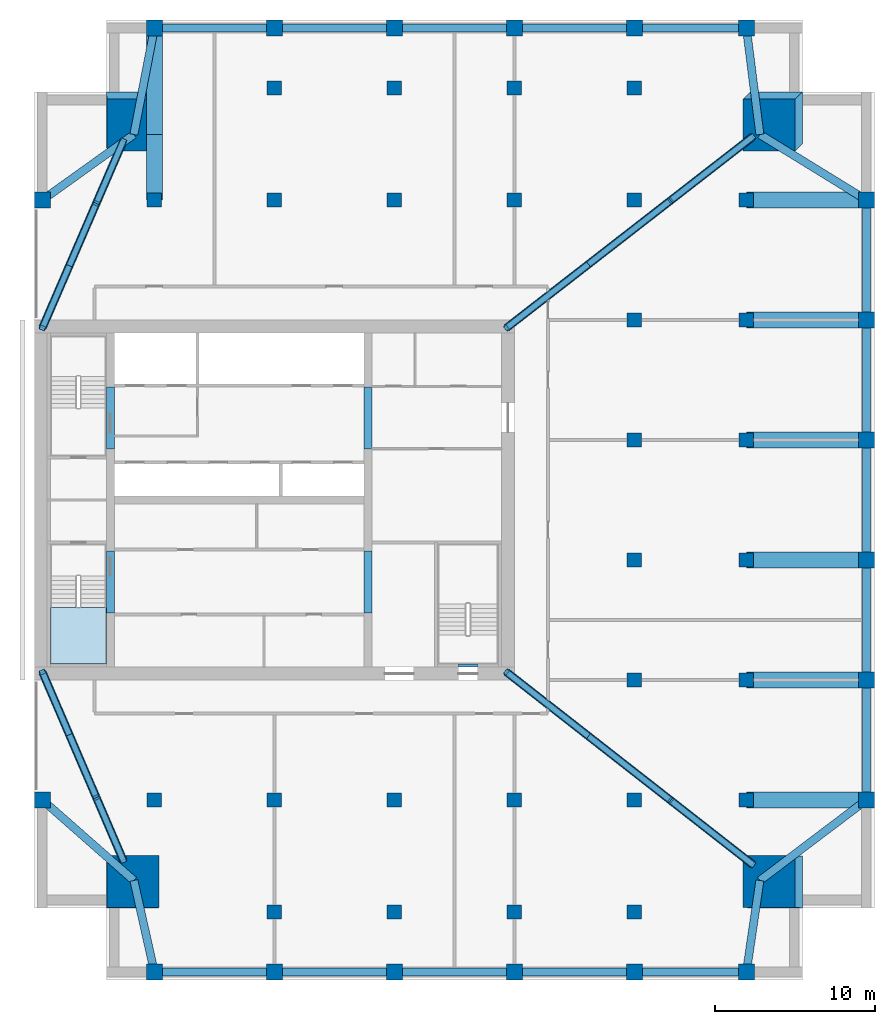
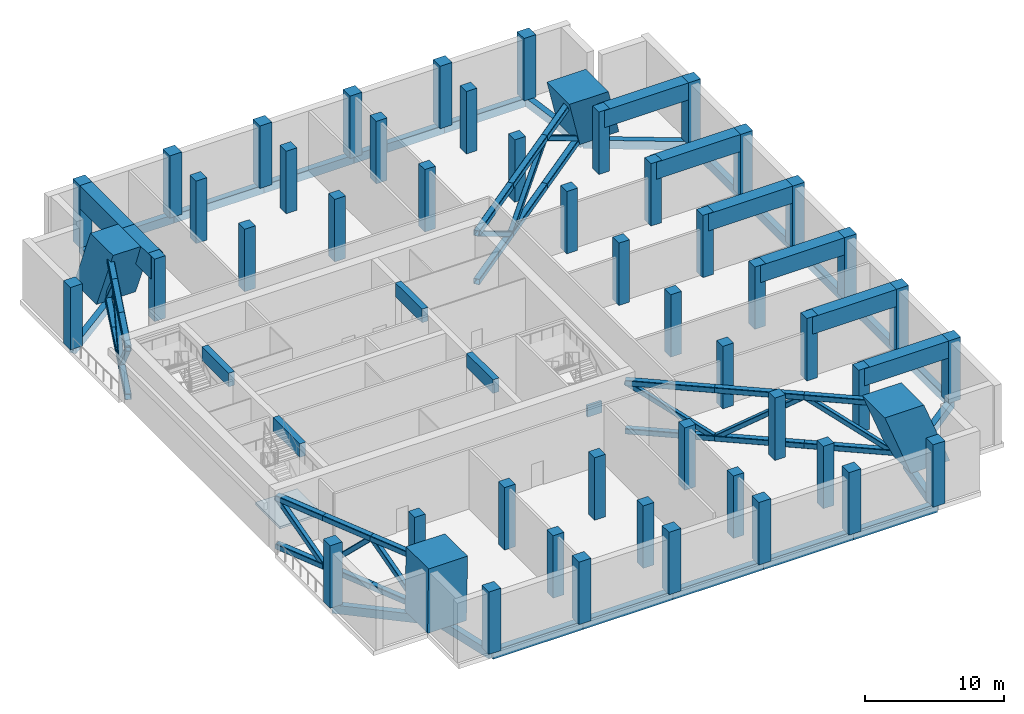
# One storey, part 1 of 9: 52 columns, 36 beams, 36 members, 1 slab, 1 element without a shape of its own.
"""IFC4 building model written with IfcOpenShell, lengths in metres."""

from ifc_helpers import new_model, si_unit, direction, frame, origin, origin_2d, place, context, subcontext, project, spatial, polyline, rectangle, hollow_rectangle, outline, extrude, material, layer, layer_set, material_profile, profile_set, type_object, element, aggregate, save


model = new_model("IFC4")

# Units and contexts
model_context = context("Model", 3, precision=1e-05, world=origin(), true_north=direction((0.0, 1.0)))
body_context = subcontext(model_context, "Body", "Model", "MODEL_VIEW")
ifc_project = project(units=[si_unit("LENGTHUNIT", "METRE"), si_unit("AREAUNIT", "SQUARE_METRE"), si_unit("VOLUMEUNIT", "CUBIC_METRE"), si_unit("PLANEANGLEUNIT", "RADIAN"), si_unit("MASSUNIT", "GRAM", prefix="KILO")], contexts=[model_context])

# Site, building, storey
site_placement = place(None, origin())
site = spatial("IfcSite", under=ifc_project, at=site_placement, CompositionType="ELEMENT")
building_placement = place(site_placement, origin())
building = spatial("IfcBuilding", under=site, at=building_placement, Name="Tamorin Gate", CompositionType="ELEMENT")
storey_placement = place(building_placement, frame((0.0, 0.0, 214.199951171875)))
storey = spatial("IfcBuildingStorey", under=building, at=storey_placement, Name="L53", CompositionType="ELEMENT", Elevation=214.199951171875)

# Columns
ifc_material_1 = material(Name="Concrete C60/75", Category="concrete")
ifc_material_profile_1 = material_profile(ifc_material_1, rectangle(XDim=1.0, YDim=1.0, at=origin_2d()), Name="RC 1000x1000")
ifc_profile_set_1 = profile_set([ifc_material_profile_1], Name="Concrete C60/75")
column_type_1 = type_object("IfcColumnType", Name="RC column 1000x1000 C60/75", PredefinedType="COLUMN", material=ifc_profile_set_1)
for number, where, z_axis, x_axis, name in (
    (1, (37.5, 41.75, 0.0), (0.0, 0.0, 1.0), (1.0, 0.0, 0.0), "Ring column L53"),
    (2, (45.0, 41.75, 0.0), (0.0, 0.0, 1.0), (1.0, 0.0, 0.0), "Ring column L53"),
    (3, (52.5, 41.75, 0.0), (0.0, 0.0, 1.0), (1.0, 0.0, 0.0), "Ring column L53"),
    (4, (60.0, 41.75, 0.0), (0.0, 0.0, 1.0), (1.0, 0.0, 0.0), "Ring column L53"),
    (5, (67.5, 41.75, 0.0), (0.0, 0.0, 1.0), (1.0, 0.0, 0.0), "Ring column L53"),
    (6, (74.5, 41.75, 0.0), (0.0, 0.0, 1.0), (1.0, 0.0, 0.0), "Ring column L53"),
    (7, (37.5, 100.75, 0.0), (0.0, 0.0, 1.0), (1.0, 0.0, 0.0), "Ring column L53"),
    (8, (45.0, 100.75, 0.0), (0.0, 0.0, 1.0), (1.0, 0.0, 0.0), "Ring column L53"),
    (9, (52.5, 100.75, 0.0), (0.0, 0.0, 1.0), (1.0, 0.0, 0.0), "Ring column L53"),
    (10, (60.0, 100.75, 0.0), (0.0, 0.0, 1.0), (1.0, 0.0, 0.0), "Ring column L53"),
    (11, (67.5, 100.75, 0.0), (0.0, 0.0, 1.0), (1.0, 0.0, 0.0), "Ring column L53"),
    (12, (74.5, 100.75, 0.0), (0.0, 0.0, 1.0), (1.0, 0.0, 0.0), "Ring column L53"),
    (13, (30.5, 52.5, 0.0), (0.0, 0.0, 1.0), (1.0, 0.0, 0.0), "Ring column L53"),
    (14, (30.5, 90.0, 0.0), (0.0, 0.0, 1.0), (1.0, 0.0, 0.0), "Ring column L53"),
    (15, (82.0, 52.5, 0.0), (0.0, 0.0, 1.0), (1.0, 0.0, 0.0), "Ring column L53"),
    (16, (82.0, 60.0, 0.0), (0.0, 0.0, 1.0), (1.0, 0.0, 0.0), "Ring column L53"),
    (17, (82.0, 67.5, 0.0), (0.0, 0.0, 1.0), (1.0, 0.0, 0.0), "Ring column L53"),
    (18, (82.0, 75.0, 0.0), (0.0, 0.0, 1.0), (1.0, 0.0, 0.0), "Ring column L53"),
    (19, (82.0, 82.5, 0.0), (0.0, 0.0, 1.0), (1.0, 0.0, 0.0), "Ring column L53"),
    (20, (82.0, 90.0, 0.0), (0.0, 0.0, 1.0), (1.0, 0.0, 0.0), "Ring column L53"),
):
    element("IfcColumn", number, at=place(storey_placement, frame(where, z_axis=z_axis, x_axis=x_axis)), inside=storey, type_object=column_type_1, Name=name, PredefinedType="COLUMN", context=body_context, shape_type="SweptSolid", body=[
        extrude(rectangle(XDim=1.0, YDim=1.0, at=origin_2d()), origin(), (0.0, 0.0, 1.0), 5.5),
    ])
ifc_material_profile_2 = material_profile(ifc_material_1, rectangle(XDim=3.25, YDim=3.25, at=origin_2d()), Name="RC 3250x3250")
ifc_profile_set_2 = profile_set([ifc_material_profile_2], Name="Concrete C60/75")
column_type_2 = type_object("IfcColumnType", Name="RC column 3250x3250 C60/75", PredefinedType="COLUMN", material=ifc_profile_set_2)
column_1_placement = place(storey_placement, frame((36.125, 47.375, 0.0), z_axis=(0.0, 0.0, 1.0), x_axis=(1.0, 0.0, 0.0)))
element("IfcColumn", 21, at=column_1_placement, inside=storey, type_object=column_type_2, Name="Mega column SW L53", PredefinedType="COLUMN", context=body_context, shape_type="SweptSolid", body=[
    extrude(rectangle(XDim=3.25, YDim=3.25, at=origin_2d()), origin(), (0.03405135791, 0.03405135791, 0.99883983203), 5.50634765625),
])
column_2_placement = place(storey_placement, frame((76.375, 47.375, 0.0), z_axis=(0.0, 0.0, 1.0), x_axis=(0.0, 1.0, 0.0)))
element("IfcColumn", 22, at=column_2_placement, inside=storey, type_object=column_type_2, Name="Mega column SE L53", PredefinedType="COLUMN", context=body_context, shape_type="SweptSolid", body=[
    extrude(rectangle(XDim=3.25, YDim=3.25, at=origin_2d()), origin(), (0.031904063383, 0.350944697213, 0.935852525902), 5.876953125),
])
column_3_placement = place(storey_placement, frame((36.125, 95.125, 0.0), z_axis=(0.0, 0.0, 1.0), x_axis=(0.0, -1.0, 0.0)))
element("IfcColumn", 23, at=column_3_placement, inside=storey, type_object=column_type_2, Name="Mega column NW L53", PredefinedType="COLUMN", context=body_context, shape_type="SweptSolid", body=[
    extrude(rectangle(XDim=3.25, YDim=3.25, at=origin_2d()), origin(), (0.350944697213, 0.031904063383, 0.935852525902), 5.876953125),
])
column_4_placement = place(storey_placement, frame((76.375, 95.125, 0.0), z_axis=(0.0, 0.0, 1.0), x_axis=(-1.0, 0.0, 0.0)))
element("IfcColumn", 24, at=column_4_placement, inside=storey, type_object=column_type_2, Name="Mega column NE L53", PredefinedType="COLUMN", context=body_context, shape_type="SweptSolid", body=[
    extrude(rectangle(XDim=3.25, YDim=3.25, at=origin_2d()), origin(), (0.331294578225, 0.331294578225, 0.883452208599), 6.2255859375),
])
ifc_material_profile_3 = material_profile(ifc_material_1, rectangle(XDim=0.89990234375, YDim=0.89990234375, at=origin_2d()), Name="RC 900x900")
ifc_profile_set_3 = profile_set([ifc_material_profile_3], Name="Concrete C60/75")
column_type_3 = type_object("IfcColumnType", Name="RC column 900x900 C60/75", PredefinedType="COLUMN", material=ifc_profile_set_3)
for number, where, z_axis, x_axis, name in (
    (25, (37.5, 52.5, 0.0), (0.0, 0.0, 1.0), (1.0, 0.0, 0.0), "Interior column L53"),
    (26, (37.5, 90.0, 0.0), (0.0, 0.0, 1.0), (1.0, 0.0, 0.0), "Interior column L53"),
    (27, (45.0, 45.5, 0.0), (0.0, 0.0, 1.0), (1.0, 0.0, 0.0), "Interior column L53"),
    (28, (45.0, 52.5, 0.0), (0.0, 0.0, 1.0), (1.0, 0.0, 0.0), "Interior column L53"),
    (29, (45.0, 90.0, 0.0), (0.0, 0.0, 1.0), (1.0, 0.0, 0.0), "Interior column L53"),
    (30, (45.0, 97.0, 0.0), (0.0, 0.0, 1.0), (1.0, 0.0, 0.0), "Interior column L53"),
    (31, (52.5, 45.5, 0.0), (0.0, 0.0, 1.0), (1.0, 0.0, 0.0), "Interior column L53"),
    (32, (52.5, 52.5, 0.0), (0.0, 0.0, 1.0), (1.0, 0.0, 0.0), "Interior column L53"),
    (33, (52.5, 90.0, 0.0), (0.0, 0.0, 1.0), (1.0, 0.0, 0.0), "Interior column L53"),
    (34, (52.5, 97.0, 0.0), (0.0, 0.0, 1.0), (1.0, 0.0, 0.0), "Interior column L53"),
    (35, (60.0, 45.5, 0.0), (0.0, 0.0, 1.0), (1.0, 0.0, 0.0), "Interior column L53"),
    (36, (60.0, 52.5, 0.0), (0.0, 0.0, 1.0), (1.0, 0.0, 0.0), "Interior column L53"),
    (37, (60.0, 90.0, 0.0), (0.0, 0.0, 1.0), (1.0, 0.0, 0.0), "Interior column L53"),
    (38, (60.0, 97.0, 0.0), (0.0, 0.0, 1.0), (1.0, 0.0, 0.0), "Interior column L53"),
    (39, (67.5, 45.5, 0.0), (0.0, 0.0, 1.0), (1.0, 0.0, 0.0), "Interior column L53"),
    (40, (67.5, 52.5, 0.0), (0.0, 0.0, 1.0), (1.0, 0.0, 0.0), "Interior column L53"),
    (41, (67.5, 60.0, 0.0), (0.0, 0.0, 1.0), (1.0, 0.0, 0.0), "Interior column L53"),
    (42, (67.5, 67.5, 0.0), (0.0, 0.0, 1.0), (1.0, 0.0, 0.0), "Interior column L53"),
    (43, (67.5, 75.0, 0.0), (0.0, 0.0, 1.0), (1.0, 0.0, 0.0), "Interior column L53"),
    (44, (67.5, 82.5, 0.0), (0.0, 0.0, 1.0), (1.0, 0.0, 0.0), "Interior column L53"),
    (45, (67.5, 90.0, 0.0), (0.0, 0.0, 1.0), (1.0, 0.0, 0.0), "Interior column L53"),
    (46, (67.5, 97.0, 0.0), (0.0, 0.0, 1.0), (1.0, 0.0, 0.0), "Interior column L53"),
    (47, (74.5, 52.5, 0.0), (0.0, 0.0, 1.0), (1.0, 0.0, 0.0), "Interior column L53"),
    (48, (74.5, 60.0, 0.0), (0.0, 0.0, 1.0), (1.0, 0.0, 0.0), "Interior column L53"),
    (49, (74.5, 67.5, 0.0), (0.0, 0.0, 1.0), (1.0, 0.0, 0.0), "Interior column L53"),
    (50, (74.5, 75.0, 0.0), (0.0, 0.0, 1.0), (1.0, 0.0, 0.0), "Interior column L53"),
    (51, (74.5, 82.5, 0.0), (0.0, 0.0, 1.0), (1.0, 0.0, 0.0), "Interior column L53"),
    (52, (74.5, 90.0, 0.0), (0.0, 0.0, 1.0), (1.0, 0.0, 0.0), "Interior column L53"),
):
    element("IfcColumn", number, at=place(storey_placement, frame(where, z_axis=z_axis, x_axis=x_axis)), inside=storey, type_object=column_type_3, Name=name, PredefinedType="COLUMN", context=body_context, shape_type="SweptSolid", body=[
        extrude(rectangle(XDim=0.89990234375, YDim=0.89990234375, at=origin_2d()), origin(), (0.0, 0.0, 1.0), 5.5),
    ])

# Beams
ifc_material_profile_4 = material_profile(ifc_material_1, rectangle(XDim=0.5, YDim=1.199951171875, at=origin_2d()), Name="RC 500x1200")
ifc_profile_set_4 = profile_set([ifc_material_profile_4], Name="Concrete C60/75")
beam_type_1 = type_object("IfcBeamType", Name="RC coupling beam 500x1200 C60/75", PredefinedType="BEAM", material=ifc_profile_set_4)
for number, where, z_axis, x_axis, name in (
    (53, (34.75, 64.199951171875, 4.900146484375), (0.0, 1.0, 0.0), (-1.0, 0.0, 0.0), "Coupling beam L53"),
    (54, (34.75, 74.449951171875, 4.900146484375), (0.0, 1.0, 0.0), (-1.0, 0.0, 0.0), "Coupling beam L53"),
    (55, (50.85009765625, 64.199951171875, 4.900146484375), (0.0, 1.0, 0.0), (-1.0, 0.0, 0.0), "Coupling beam L53"),
    (56, (50.85009765625, 74.449951171875, 4.900146484375), (0.0, 1.0, 0.0), (-1.0, 0.0, 0.0), "Coupling beam L53"),
):
    element("IfcBeam", number, at=place(storey_placement, frame(where, z_axis=z_axis, x_axis=x_axis)), inside=storey, type_object=beam_type_1, Name=name, PredefinedType="BEAM", context=body_context, shape_type="SweptSolid", body=[
        extrude(rectangle(XDim=0.5, YDim=1.199951171875, at=origin_2d()), origin(), (0.0, 0.0, 1.0), 3.85009765625),
    ])
ifc_material_2 = material(Name="Concrete C50/60", Category="concrete")
ifc_material_profile_5 = material_profile(ifc_material_2, rectangle(XDim=0.5, YDim=0.75, at=origin_2d()), Name="RC 500x750")
ifc_profile_set_5 = profile_set([ifc_material_profile_5], Name="Concrete C50/60")
beam_type_2 = type_object("IfcBeamType", Name="RC spandrel 500x750 C50/60", PredefinedType="BEAM", material=ifc_profile_set_5)
for number, where, z_axis, x_axis, name in (
    (57, (37.5, 41.75, -0.375), (1.0, 0.0, 0.0), (0.0, 1.0, 0.0), "Spandrel beam L53"),
    (58, (45.0, 41.75, -0.375), (1.0, 0.0, 0.0), (0.0, 1.0, 0.0), "Spandrel beam L53"),
    (59, (52.5, 41.75, -0.375), (1.0, 0.0, 0.0), (0.0, 1.0, 0.0), "Spandrel beam L53"),
    (60, (60.0, 41.75, -0.375), (1.0, 0.0, 0.0), (0.0, 1.0, 0.0), "Spandrel beam L53"),
):
    element("IfcBeam", number, at=place(storey_placement, frame(where, z_axis=z_axis, x_axis=x_axis)), inside=storey, type_object=beam_type_2, Name=name, PredefinedType="BEAM", context=body_context, shape_type="SweptSolid", body=[
        extrude(rectangle(XDim=0.5, YDim=0.75, at=origin_2d()), origin(), (0.0, 0.0, 1.0), 7.5),
    ])
beam_1_placement = place(storey_placement, frame((67.5, 41.75, -0.375), z_axis=(1.0, 0.0, 0.0), x_axis=(0.0, 1.0, 0.0)))
element("IfcBeam", 61, at=beam_1_placement, inside=storey, type_object=beam_type_2, Name="Spandrel beam L53", PredefinedType="BEAM", context=body_context, shape_type="SweptSolid", body=[
    extrude(rectangle(XDim=0.5, YDim=0.75, at=origin_2d()), origin(), (0.0, 0.0, 1.0), 7.0),
])
for number, where, z_axis, x_axis, name in (
    (62, (82.0, 52.5, -0.375), (0.0, 1.0, 0.0), (-1.0, 0.0, 0.0), "Spandrel beam L53"),
    (63, (82.0, 60.0, -0.375), (0.0, 1.0, 0.0), (-1.0, 0.0, 0.0), "Spandrel beam L53"),
    (64, (82.0, 67.5, -0.375), (0.0, 1.0, 0.0), (-1.0, 0.0, 0.0), "Spandrel beam L53"),
    (65, (82.0, 75.0, -0.375), (0.0, 1.0, 0.0), (-1.0, 0.0, 0.0), "Spandrel beam L53"),
    (66, (82.0, 82.5, -0.375), (0.0, 1.0, 0.0), (-1.0, 0.0, 0.0), "Spandrel beam L53"),
):
    element("IfcBeam", number, at=place(storey_placement, frame(where, z_axis=z_axis, x_axis=x_axis)), inside=storey, type_object=beam_type_2, Name=name, PredefinedType="BEAM", context=body_context, shape_type="SweptSolid", body=[
        extrude(rectangle(XDim=0.5, YDim=0.75, at=origin_2d()), origin(), (0.0, 0.0, 1.0), 7.5),
    ])
beam_2_placement = place(storey_placement, frame((74.5, 100.75, -0.375), z_axis=(-1.0, 0.0, 0.0), x_axis=(0.0, -1.0, 0.0)))
element("IfcBeam", 67, at=beam_2_placement, inside=storey, type_object=beam_type_2, Name="Spandrel beam L53", PredefinedType="BEAM", context=body_context, shape_type="SweptSolid", body=[
    extrude(rectangle(XDim=0.5, YDim=0.75, at=origin_2d()), origin(), (0.0, 0.0, 1.0), 7.0),
])
for number, where, z_axis, x_axis, name in (
    (68, (67.5, 100.75, -0.375), (-1.0, 0.0, 0.0), (0.0, -1.0, 0.0), "Spandrel beam L53"),
    (69, (60.0, 100.75, -0.375), (-1.0, 0.0, 0.0), (0.0, -1.0, 0.0), "Spandrel beam L53"),
    (70, (52.5, 100.75, -0.375), (-1.0, 0.0, 0.0), (0.0, -1.0, 0.0), "Spandrel beam L53"),
    (71, (45.0, 100.75, -0.375), (-1.0, 0.0, 0.0), (0.0, -1.0, 0.0), "Spandrel beam L53"),
):
    element("IfcBeam", number, at=place(storey_placement, frame(where, z_axis=z_axis, x_axis=x_axis)), inside=storey, type_object=beam_type_2, Name=name, PredefinedType="BEAM", context=body_context, shape_type="SweptSolid", body=[
        extrude(rectangle(XDim=0.5, YDim=0.75, at=origin_2d()), origin(), (0.0, 0.0, 1.0), 7.5),
    ])
beam_3_placement = place(storey_placement, frame((36.21875, 47.46875, -0.375), z_axis=(0.218623917724, -0.975809193746, 0.0), x_axis=(0.975809193746, 0.218623917724, 0.0)))
element("IfcBeam", 72, at=beam_3_placement, inside=storey, type_object=beam_type_2, Name="Corner tie beam L53", PredefinedType="BEAM", context=body_context, shape_type="SweptSolid", body=[
    extrude(rectangle(XDim=0.5, YDim=0.75, at=origin_2d()), origin(), (0.0, 0.0, 1.0), 5.860595703125),
])
beam_4_placement = place(storey_placement, frame((36.21875, 47.46875, -0.375), z_axis=(-0.75079489941, 0.660535403306, 0.0), x_axis=(-0.660535403306, -0.75079489941, 0.0)))
element("IfcBeam", 73, at=beam_4_placement, inside=storey, type_object=beam_type_2, Name="Corner tie beam L53", PredefinedType="BEAM", context=body_context, shape_type="SweptSolid", body=[
    extrude(rectangle(XDim=0.5, YDim=0.75, at=origin_2d()), origin(), (0.0, 0.0, 1.0), 7.616943359375),
])
beam_5_placement = place(storey_placement, frame((75.34375, 47.46875, -0.375), z_axis=(-0.145960873314, -0.989290363574, 0.0), x_axis=(0.989290363574, -0.145960873314, 0.0)))
element("IfcBeam", 74, at=beam_5_placement, inside=storey, type_object=beam_type_2, Name="Corner tie beam L53", PredefinedType="BEAM", context=body_context, shape_type="SweptSolid", body=[
    extrude(rectangle(XDim=0.5, YDim=0.75, at=origin_2d()), origin(), (0.0, 0.0, 1.0), 5.78076171875),
])
beam_6_placement = place(storey_placement, frame((75.34375, 47.46875, -0.375), z_axis=(0.797747213845, 0.602992025488, 0.0), x_axis=(-0.602992025488, 0.797747213845, 0.0)))
element("IfcBeam", 75, at=beam_6_placement, inside=storey, type_object=beam_type_2, Name="Corner tie beam L53", PredefinedType="BEAM", context=body_context, shape_type="SweptSolid", body=[
    extrude(rectangle(XDim=0.5, YDim=0.75, at=origin_2d()), origin(), (0.0, 0.0, 1.0), 8.34375),
])
beam_7_placement = place(storey_placement, frame((36.21875, 94.09375, -0.375), z_axis=(0.189018382679, 0.981973549038, 0.0), x_axis=(-0.981973549038, 0.189018382679, 0.0)))
element("IfcBeam", 76, at=beam_7_placement, inside=storey, type_object=beam_type_2, Name="Corner tie beam L53", PredefinedType="BEAM", context=body_context, shape_type="SweptSolid", body=[
    extrude(rectangle(XDim=0.5, YDim=0.75, at=origin_2d()), origin(), (0.0, 0.0, 1.0), 6.7783203125),
])
beam_8_placement = place(storey_placement, frame((36.21875, 94.09375, -0.375), z_axis=(-0.813132584636, -0.582078516871, 0.0), x_axis=(0.582078516871, -0.813132584636, 0.0)))
element("IfcBeam", 77, at=beam_8_placement, inside=storey, type_object=beam_type_2, Name="Corner tie beam L53", PredefinedType="BEAM", context=body_context, shape_type="SweptSolid", body=[
    extrude(rectangle(XDim=0.5, YDim=0.75, at=origin_2d()), origin(), (0.0, 0.0, 1.0), 7.032958984375),
])
beam_9_placement = place(storey_placement, frame((75.34375, 94.09375, -0.375), z_axis=(-0.125754264753, 0.992061421937, 0.0), x_axis=(-0.992061421937, -0.125754264753, 0.0)))
element("IfcBeam", 78, at=beam_9_placement, inside=storey, type_object=beam_type_2, Name="Corner tie beam L53", PredefinedType="BEAM", context=body_context, shape_type="SweptSolid", body=[
    extrude(rectangle(XDim=0.5, YDim=0.75, at=origin_2d()), origin(), (0.0, 0.0, 1.0), 6.70947265625),
])
beam_10_placement = place(storey_placement, frame((75.34375, 94.09375, -0.375), z_axis=(0.851795593583, -0.523874285255, 0.0), x_axis=(0.523874285255, 0.851795593583, 0.0)))
element("IfcBeam", 79, at=beam_10_placement, inside=storey, type_object=beam_type_2, Name="Corner tie beam L53", PredefinedType="BEAM", context=body_context, shape_type="SweptSolid", body=[
    extrude(rectangle(XDim=0.5, YDim=0.75, at=origin_2d()), origin(), (0.0, 0.0, 1.0), 7.814453125),
])
ifc_material_profile_6 = material_profile(ifc_material_1, rectangle(XDim=1.0, YDim=1.5, at=origin_2d()), Name="RC 1000x1500")
ifc_profile_set_6 = profile_set([ifc_material_profile_6], Name="Concrete C60/75")
beam_type_3 = type_object("IfcBeamType", Name="RC transfer girder 1000x1500 C60/75", PredefinedType="BEAM", material=ifc_profile_set_6)
for number, where, z_axis, x_axis, name in (
    (80, (74.5, 52.5, 4.75), (1.0, 0.0, 0.0), (0.0, 1.0, 0.0), "Transfer girder L53"),
    (81, (74.5, 60.0, 4.75), (1.0, 0.0, 0.0), (0.0, 1.0, 0.0), "Transfer girder L53"),
    (82, (74.5, 67.5, 4.75), (1.0, 0.0, 0.0), (0.0, 1.0, 0.0), "Transfer girder L53"),
    (83, (74.5, 75.0, 4.75), (1.0, 0.0, 0.0), (0.0, 1.0, 0.0), "Transfer girder L53"),
    (84, (74.5, 82.5, 4.75), (1.0, 0.0, 0.0), (0.0, 1.0, 0.0), "Transfer girder L53"),
    (85, (74.5, 90.0, 4.75), (1.0, 0.0, 0.0), (0.0, 1.0, 0.0), "Transfer girder L53"),
):
    element("IfcBeam", number, at=place(storey_placement, frame(where, z_axis=z_axis, x_axis=x_axis)), inside=storey, type_object=beam_type_3, Name=name, PredefinedType="BEAM", context=body_context, shape_type="SweptSolid", body=[
        extrude(rectangle(XDim=1.0, YDim=1.5, at=origin_2d()), origin(), (0.0, 0.0, 1.0), 7.5),
    ])
ifc_material_profile_7 = material_profile(ifc_material_1, rectangle(XDim=1.0, YDim=2.0, at=origin_2d()), Name="RC 1000x2000")
ifc_profile_set_7 = profile_set([ifc_material_profile_7], Name="Concrete C60/75")
beam_type_4 = type_object("IfcBeamType", Name="RC transfer girder 1000x2000 C60/75", PredefinedType="BEAM", material=ifc_profile_set_7)
beam_11_placement = place(storey_placement, frame((37.5, 90.0, 4.5), z_axis=(0.0, 1.0, 0.0), x_axis=(-1.0, 0.0, 0.0)))
element("IfcBeam", 86, at=beam_11_placement, inside=storey, type_object=beam_type_4, Name="Transfer girder L53", PredefinedType="BEAM", context=body_context, shape_type="SweptSolid", body=[
    extrude(rectangle(XDim=1.0, YDim=2.0, at=origin_2d()), origin(), (0.0, 0.0, 1.0), 4.09375),
])
beam_12_placement = place(storey_placement, frame((37.5, 94.09375, 4.5), z_axis=(0.0, 1.0, 0.0), x_axis=(-1.0, 0.0, 0.0)))
element("IfcBeam", 87, at=beam_12_placement, inside=storey, type_object=beam_type_4, Name="Transfer girder L53", PredefinedType="BEAM", context=body_context, shape_type="SweptSolid", body=[
    extrude(rectangle(XDim=1.0, YDim=2.0, at=origin_2d()), origin(), (0.0, 0.0, 1.0), 6.65625),
])
ifc_material_profile_8 = material_profile(ifc_material_1, rectangle(XDim=0.199951171875, YDim=1.0, at=origin_2d()))
ifc_profile_set_8 = profile_set([ifc_material_profile_8], Name="Concrete C60/75")
beam_type_5 = type_object("IfcBeamType", Name="Stair lintel 200x1000 C60/75", PredefinedType="BEAM", material=ifc_profile_set_8)
beam_13_placement = place(storey_placement, frame((56.5, 60.89990234375, 2.699951171875), z_axis=(1.0, 0.0, 0.0), x_axis=(0.0, 1.0, 0.0)))
element("IfcBeam", 88, at=beam_13_placement, inside=storey, type_object=beam_type_5, Name="Stair lintel", PredefinedType="BEAM", context=body_context, shape_type="SweptSolid", body=[
    extrude(rectangle(XDim=0.199951171875, YDim=1.0, at=origin_2d()), origin(), (0.0, 0.0, 1.0), 1.199951171875),
])

# Members
ifc_material_3 = material(Name="Steel S355J2H", Category="steel")
ifc_material_profile_9 = material_profile(ifc_material_3, hollow_rectangle(XDim=0.5, YDim=0.5, WallThickness=0.030029296875, InnerFilletRadius=0.044921875, OuterFilletRadius=0.074951171875, at=origin_2d()), Name="RHS 500x500x30")
ifc_profile_set_9 = profile_set([ifc_material_profile_9], Name="Steel S355J2H")
member_type_1 = type_object("IfcMemberType", Name="Steel chord RHS 500x500x30", PredefinedType="CHORD", material=ifc_profile_set_9)
for number, where, z_axis, x_axis, name in (
    (89, (30.5, 60.5, 0.25), (0.394623233463, -0.918843024467, 0.0), (0.918843024467, 0.394623233463, 0.0), "Truss bottom chord L53"),
    (90, (30.5, 60.5, 4.5), (0.394623233463, -0.918843024467, 0.0), (0.918843024467, 0.394623233463, 0.0), "Truss top chord L53"),
    (91, (32.1845703125, 56.57763671875, 0.25), (0.39467151727, -0.918822286112, 0.0), (0.918822286112, 0.39467151727, 0.0), "Truss bottom chord L53"),
    (92, (32.1845703125, 56.57763671875, 4.5), (0.39467151727, -0.918822286112, 0.0), (0.918822286112, 0.39467151727, 0.0), "Truss top chord L53"),
    (93, (33.869384765625, 52.6552734375, 0.25), (0.394623233463, -0.918843024467, 0.0), (0.918843024467, 0.394623233463, 0.0), "Truss bottom chord L53"),
    (94, (33.869384765625, 52.6552734375, 4.5), (0.394623233463, -0.918843024467, 0.0), (0.918843024467, 0.394623233463, 0.0), "Truss top chord L53"),
):
    element("IfcMember", number, at=place(storey_placement, frame(where, z_axis=z_axis, x_axis=x_axis)), inside=storey, type_object=member_type_1, Name=name, PredefinedType="CHORD", context=body_context, shape_type="SweptSolid", body=[
        extrude(hollow_rectangle(XDim=0.5, YDim=0.5, WallThickness=0.030029296875, InnerFilletRadius=0.044921875, OuterFilletRadius=0.074951171875, at=origin_2d()), origin(), (0.0, 0.0, 1.0), 4.268798828125),
    ])
for number, where, z_axis, x_axis, name in (
    (95, (59.5, 60.5, 0.25), (0.787892492258, -0.615812812991, 0.0), (0.615812812991, 0.787892492258, 0.0), "Truss bottom chord L53"),
    (96, (59.5, 60.5, 4.5), (0.787892492258, -0.615812812991, 0.0), (0.615812812991, 0.787892492258, 0.0), "Truss top chord L53"),
    (97, (64.630859375, 56.48974609375, 0.25), (0.787874302339, -0.615836085103, 0.0), (0.615836085103, 0.787874302339, 0.0), "Truss bottom chord L53"),
    (98, (64.630859375, 56.48974609375, 4.5), (0.787874302339, -0.615836085103, 0.0), (0.615836085103, 0.787874302339, 0.0), "Truss top chord L53"),
    (99, (69.76171875, 52.479248046875, 0.25), (0.787892492258, -0.615812812991, 0.0), (0.615812812991, 0.787892492258, 0.0), "Truss bottom chord L53"),
    (100, (69.76171875, 52.479248046875, 4.5), (0.787892492258, -0.615812812991, 0.0), (0.615812812991, 0.787892492258, 0.0), "Truss top chord L53"),
):
    element("IfcMember", number, at=place(storey_placement, frame(where, z_axis=z_axis, x_axis=x_axis)), inside=storey, type_object=member_type_1, Name=name, PredefinedType="CHORD", context=body_context, shape_type="SweptSolid", body=[
        extrude(hollow_rectangle(XDim=0.5, YDim=0.5, WallThickness=0.030029296875, InnerFilletRadius=0.044921875, OuterFilletRadius=0.074951171875, at=origin_2d()), origin(), (0.0, 0.0, 1.0), 6.51220703125),
    ])
for number, where, z_axis, x_axis, name in (
    (101, (30.5, 82.0, 0.25), (0.396820730211, 0.917896131419, 0.0), (-0.917896131419, 0.396820730211, 0.0), "Truss bottom chord L53"),
    (102, (30.5, 82.0, 4.5), (0.396820730211, 0.917896131419, 0.0), (-0.917896131419, 0.396820730211, 0.0), "Truss top chord L53"),
):
    element("IfcMember", number, at=place(storey_placement, frame(where, z_axis=z_axis, x_axis=x_axis)), inside=storey, type_object=member_type_1, Name=name, PredefinedType="CHORD", context=body_context, shape_type="SweptSolid", body=[
        extrude(hollow_rectangle(XDim=0.5, YDim=0.5, WallThickness=0.030029296875, InnerFilletRadius=0.044921875, OuterFilletRadius=0.074951171875, at=origin_2d()), origin(), (0.0, 0.0, 1.0), 4.2421875),
    ])
for number, where, z_axis, x_axis, name in (
    (103, (32.183349609375, 85.893798828125, 0.25), (0.396799768479, 0.917905193217, 0.0), (-0.917905193217, 0.396799768479, 0.0), "Truss bottom chord L53"),
    (104, (32.183349609375, 85.893798828125, 4.5), (0.396799768479, 0.917905193217, 0.0), (-0.917905193217, 0.396799768479, 0.0), "Truss top chord L53"),
):
    element("IfcMember", number, at=place(storey_placement, frame(where, z_axis=z_axis, x_axis=x_axis)), inside=storey, type_object=member_type_1, Name=name, PredefinedType="CHORD", context=body_context, shape_type="SweptSolid", body=[
        extrude(hollow_rectangle(XDim=0.5, YDim=0.5, WallThickness=0.030029296875, InnerFilletRadius=0.044921875, OuterFilletRadius=0.074951171875, at=origin_2d()), origin(), (0.0, 0.0, 1.0), 4.242431640625),
    ])
for number, where, z_axis, x_axis, name in (
    (105, (33.86669921875, 89.787841796875, 0.25), (0.396820730211, 0.917896131419, 0.0), (-0.917896131419, 0.396820730211, 0.0), "Truss bottom chord L53"),
    (106, (33.86669921875, 89.787841796875, 4.5), (0.396820730211, 0.917896131419, 0.0), (-0.917896131419, 0.396820730211, 0.0), "Truss top chord L53"),
):
    element("IfcMember", number, at=place(storey_placement, frame(where, z_axis=z_axis, x_axis=x_axis)), inside=storey, type_object=member_type_1, Name=name, PredefinedType="CHORD", context=body_context, shape_type="SweptSolid", body=[
        extrude(hollow_rectangle(XDim=0.5, YDim=0.5, WallThickness=0.030029296875, InnerFilletRadius=0.044921875, OuterFilletRadius=0.074951171875, at=origin_2d()), origin(), (0.0, 0.0, 1.0), 4.2421875),
    ])
for number, where, z_axis, x_axis, name in (
    (107, (59.5, 82.0, 0.25), (0.789835608403, 0.613318605374, 0.0), (-0.613318605374, 0.789835608403, 0.0), "Truss bottom chord L53"),
    (108, (59.5, 82.0, 4.5), (0.789835608403, 0.613318605374, 0.0), (-0.613318605374, 0.789835608403, 0.0), "Truss top chord L53"),
):
    element("IfcMember", number, at=place(storey_placement, frame(where, z_axis=z_axis, x_axis=x_axis)), inside=storey, type_object=member_type_1, Name=name, PredefinedType="CHORD", context=body_context, shape_type="SweptSolid", body=[
        extrude(hollow_rectangle(XDim=0.5, YDim=0.5, WallThickness=0.030029296875, InnerFilletRadius=0.044921875, OuterFilletRadius=0.074951171875, at=origin_2d()), origin(), (0.0, 0.0, 1.0), 6.496337890625),
    ])
for number, where, z_axis, x_axis, name in (
    (109, (64.631103515625, 85.984375, 0.25), (0.789817403553, 0.613342048979, 0.0), (-0.613342048979, 0.789817403553, 0.0), "Truss bottom chord L53"),
    (110, (64.631103515625, 85.984375, 4.5), (0.789817403553, 0.613342048979, 0.0), (-0.613342048979, 0.789817403553, 0.0), "Truss top chord L53"),
):
    element("IfcMember", number, at=place(storey_placement, frame(where, z_axis=z_axis, x_axis=x_axis)), inside=storey, type_object=member_type_1, Name=name, PredefinedType="CHORD", context=body_context, shape_type="SweptSolid", body=[
        extrude(hollow_rectangle(XDim=0.5, YDim=0.5, WallThickness=0.030029296875, InnerFilletRadius=0.044921875, OuterFilletRadius=0.074951171875, at=origin_2d()), origin(), (0.0, 0.0, 1.0), 6.49658203125),
    ])
for number, where, z_axis, x_axis, name in (
    (111, (69.76220703125, 89.968994140625, 0.25), (0.789835608403, 0.613318605374, 0.0), (-0.613318605374, 0.789835608403, 0.0), "Truss bottom chord L53"),
    (112, (69.76220703125, 89.968994140625, 4.5), (0.789835608403, 0.613318605374, 0.0), (-0.613318605374, 0.789835608403, 0.0), "Truss top chord L53"),
):
    element("IfcMember", number, at=place(storey_placement, frame(where, z_axis=z_axis, x_axis=x_axis)), inside=storey, type_object=member_type_1, Name=name, PredefinedType="CHORD", context=body_context, shape_type="SweptSolid", body=[
        extrude(hollow_rectangle(XDim=0.5, YDim=0.5, WallThickness=0.030029296875, InnerFilletRadius=0.044921875, OuterFilletRadius=0.074951171875, at=origin_2d()), origin(), (0.0, 0.0, 1.0), 6.496337890625),
    ])
ifc_material_profile_10 = material_profile(ifc_material_3, hollow_rectangle(XDim=0.39990234375, YDim=0.39990234375, WallThickness=0.02001953125, InnerFilletRadius=0.030029296875, OuterFilletRadius=0.050048828125, at=origin_2d()), Name="RHS 400x400x20")
ifc_profile_set_10 = profile_set([ifc_material_profile_10], Name="Steel S355J2H")
member_type_2 = type_object("IfcMemberType", Name="Steel diagonal RHS 400x400x20", PredefinedType="BRACE", material=ifc_profile_set_10)
for number, where, z_axis, x_axis, name in (
    (113, (30.5, 60.5, 4.5), (0.279656113155, -0.651152915065, -0.70554400258), (0.918843024467, 0.394623233463, 0.0), "Truss diagonal L53"),
    (114, (32.1845703125, 56.57763671875, 0.25), (0.27969347265, -0.651145534211, 0.7055360052), (0.918822286112, 0.39467151727, 0.0), "Truss diagonal L53"),
    (115, (33.869384765625, 52.6552734375, 4.5), (0.279656113155, -0.651152915065, -0.70554400258), (0.918843024467, 0.394623233463, 0.0), "Truss diagonal L53"),
):
    element("IfcMember", number, at=place(storey_placement, frame(where, z_axis=z_axis, x_axis=x_axis)), inside=storey, type_object=member_type_2, Name=name, PredefinedType="BRACE", context=body_context, shape_type="SweptSolid", body=[
        extrude(hollow_rectangle(XDim=0.39990234375, YDim=0.39990234375, WallThickness=0.02001953125, InnerFilletRadius=0.030029296875, OuterFilletRadius=0.050048828125, at=origin_2d()), origin(), (0.0, 0.0, 1.0), 6.023681640625),
    ])
for number, where, z_axis, x_axis, name in (
    (116, (59.5, 60.5, 4.5), (0.659809941937, -0.515704135243, -0.546534615019), (0.615812812991, 0.787892492258, 0.0), "Truss diagonal L53"),
    (117, (64.630859375, 56.48974609375, 0.25), (0.659799258994, -0.5157271806, 0.54652576611), (0.615836085103, 0.787874302339, 0.0), "Truss diagonal L53"),
    (118, (69.76171875, 52.479248046875, 4.5), (0.659809941937, -0.515704135243, -0.546534615019), (0.615812812991, 0.787892492258, 0.0), "Truss diagonal L53"),
):
    element("IfcMember", number, at=place(storey_placement, frame(where, z_axis=z_axis, x_axis=x_axis)), inside=storey, type_object=member_type_2, Name=name, PredefinedType="BRACE", context=body_context, shape_type="SweptSolid", body=[
        extrude(hollow_rectangle(XDim=0.39990234375, YDim=0.39990234375, WallThickness=0.02001953125, InnerFilletRadius=0.030029296875, OuterFilletRadius=0.050048828125, at=origin_2d()), origin(), (0.0, 0.0, 1.0), 7.7763671875),
    ])
for number, where, z_axis, x_axis, name in (
    (119, (30.5, 82.0, 4.5), (0.280333176218, 0.648445805295, -0.707765037217), (-0.917896131419, 0.396820730211, 0.0), "Truss diagonal L53"),
    (120, (32.183349609375, 85.893798828125, 0.25), (0.280325785531, 0.648469366094, 0.70774637774), (-0.917905193217, 0.396799768479, 0.0), "Truss diagonal L53"),
    (121, (33.86669921875, 89.787841796875, 4.5), (0.280333176218, 0.648445805295, -0.707765037217), (-0.917896131419, 0.396820730211, 0.0), "Truss diagonal L53"),
):
    element("IfcMember", number, at=place(storey_placement, frame(where, z_axis=z_axis, x_axis=x_axis)), inside=storey, type_object=member_type_2, Name=name, PredefinedType="BRACE", context=body_context, shape_type="SweptSolid", body=[
        extrude(hollow_rectangle(XDim=0.39990234375, YDim=0.39990234375, WallThickness=0.02001953125, InnerFilletRadius=0.030029296875, OuterFilletRadius=0.050048828125, at=origin_2d()), origin(), (0.0, 0.0, 1.0), 6.0048828125),
    ])
for number, where, z_axis, x_axis, name in (
    (122, (59.5, 82.0, 4.5), (0.660959288299, 0.513244306278, -0.547460593363), (-0.613318605374, 0.789835608403, 0.0), "Truss diagonal L53"),
    (123, (64.631103515625, 85.984375, 0.25), (0.660948619743, 0.513267470278, 0.547451756792), (-0.613342048979, 0.789817403553, 0.0), "Truss diagonal L53"),
    (124, (69.76220703125, 89.968994140625, 4.5), (0.660959288299, 0.513244306278, -0.547460593363), (-0.613318605374, 0.789835608403, 0.0), "Truss diagonal L53"),
):
    element("IfcMember", number, at=place(storey_placement, frame(where, z_axis=z_axis, x_axis=x_axis)), inside=storey, type_object=member_type_2, Name=name, PredefinedType="BRACE", context=body_context, shape_type="SweptSolid", body=[
        extrude(hollow_rectangle(XDim=0.39990234375, YDim=0.39990234375, WallThickness=0.02001953125, InnerFilletRadius=0.030029296875, OuterFilletRadius=0.050048828125, at=origin_2d()), origin(), (0.0, 0.0, 1.0), 7.76318359375),
    ])

# Stair, slab
ifc_material_4 = material(Name="Concrete C40/50", Category="concrete")
stair_type = type_object("IfcStairType", Name="Exit stair", PredefinedType="HALF_TURN_STAIR", material=ifc_material_4)
stair_placement = place(storey_placement, origin())
stair = element("IfcStair", 125, at=stair_placement, inside=storey, type_object=stair_type, Name="L53 stair ST1", PredefinedType="HALF_TURN_STAIR")
ifc_layer = layer(ifc_material_4, 0.199951171875)
ifc_layer_set = layer_set([ifc_layer], Name="Exit stair landing 200")
slab_type = type_object("IfcSlabType", Name="Exit stair landing 200", PredefinedType="LANDING", material=ifc_layer_set)
slab_placement = place(storey_placement, frame((0.0, 0.0, 1.175048828125)))
slab = element("IfcSlab", 126, at=slab_placement, type_object=slab_type, Name="ST1 landing 1", PredefinedType="LANDING", context=body_context, shape_type="SweptSolid", body=[
    extrude(outline(polyline([(31.0, 64.5400390625), (31.0, 61.0), (34.5, 61.0), (34.5, 64.5400390625), (31.0, 64.5400390625)])), origin(), (0.0, 0.0, 1.0), 0.199951171875),
])
aggregate(stair, [slab])

save(model, "model.ifc")
